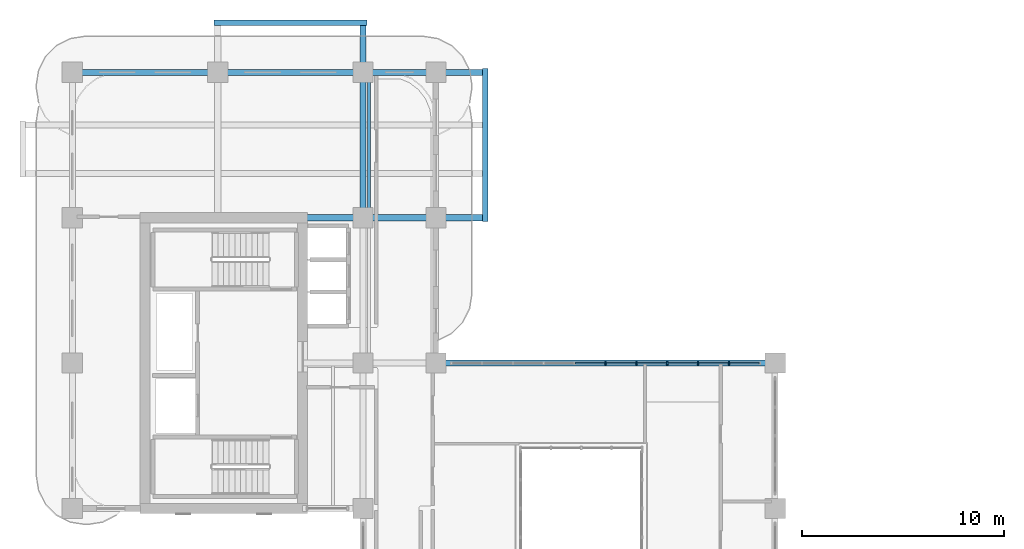
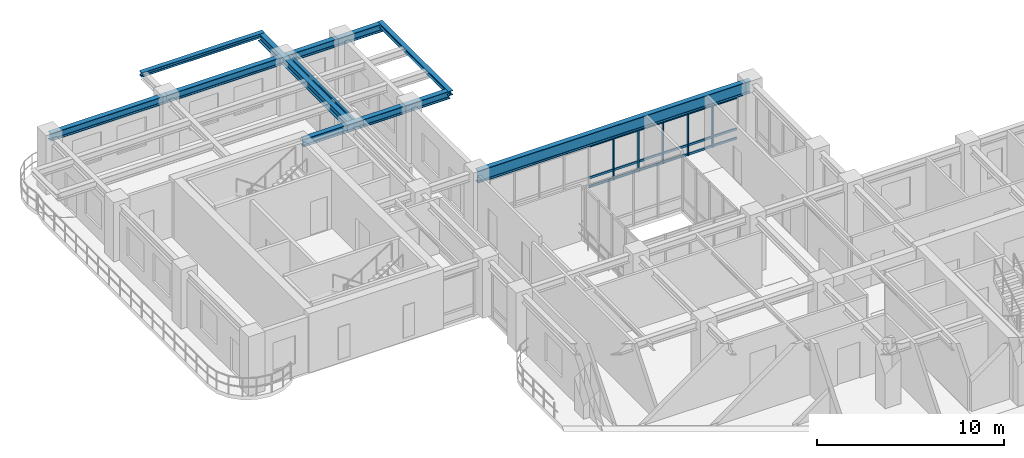
# One storey, part 6 of 19: 23 members, 8 beams, 1 element without a shape of its own.
"""IFC4 building model written with IfcOpenShell, lengths in metres."""

from ifc_helpers import new_model, si_unit, derived_unit, direction, frame, origin, origin_2d, place, context, subcontext, project, spatial, rectangle, i_section, extrude, source, transform, mapped, material, layer, layer_set, material_profile, profile_set, type_object, type_shapes, element, aggregate, save


model = new_model("IFC4")

# Units and contexts
model_context = context("Model", 3, precision=1e-05, world=origin(), true_north=direction((0.0, 1.0)))
body_context = subcontext(model_context, "Body", "Model", "MODEL_VIEW")
ifc_project = project(units=[si_unit("LENGTHUNIT", "METRE"), si_unit("AREAUNIT", "SQUARE_METRE"), si_unit("VOLUMEUNIT", "CUBIC_METRE"), si_unit("PLANEANGLEUNIT", "RADIAN"), si_unit("MASSUNIT", "GRAM", prefix="KILO"), si_unit("THERMODYNAMICTEMPERATUREUNIT", "KELVIN"), si_unit("POWERUNIT", "WATT"), derived_unit("THERMALTRANSMITTANCEUNIT", [(si_unit("POWERUNIT", "WATT"), 1), (si_unit("AREAUNIT", "SQUARE_METRE"), -1), (si_unit("THERMODYNAMICTEMPERATUREUNIT", "KELVIN"), -1)])], contexts=[model_context])

# Site, building, storey
site_placement = place(None, origin())
site = spatial("IfcSite", under=ifc_project, at=site_placement, CompositionType="ELEMENT")
building_placement = place(site_placement, origin())
building = spatial("IfcBuilding", under=site, at=building_placement, Name="Zahravan Archway Hotel and Residences", CompositionType="ELEMENT")
storey_placement = place(building_placement, frame((0.0, 0.0, 150.300048828125)))
storey = spatial("IfcBuildingStorey", under=building, at=storey_placement, Name="L37", CompositionType="ELEMENT", Elevation=150.300048828125)

# Beams
ifc_material_1 = material(Name="Structural Steel S355JR", Category="steel")
ifc_material_profile_1 = material_profile(ifc_material_1, i_section(OverallWidth=0.280029296875, OverallDepth=0.280029296875, WebThickness=0.010498046875, FlangeThickness=0.01806640625, FilletRadius=0.02392578125, at=origin_2d()), Name="HEB 280", Category="steel")
ifc_profile_set_1 = profile_set([ifc_material_profile_1], Name="Structural Steel S355JR")
beam_type_1 = type_object("IfcBeamType", Name="BM-SPN-HEB280", PredefinedType="SPANDREL", material=ifc_profile_set_1)
shared_shape_1 = source(origin(), body_context, "Body", "SweptSolid", [
    extrude(i_section(OverallWidth=0.280029296875, OverallDepth=0.280029296875, WebThickness=0.010498046875, FlangeThickness=0.01806640625, FilletRadius=0.02392578125, at=origin_2d()), origin(), (0.0, 0.0, 1.0), 7.56005859375),
])
type_shapes(beam_type_1, [shared_shape_1])
for number, where, z_axis, x_axis, name in (
    (1, (20.449951171875, 39.419921875, 3.4599609375), (0.0, 1.0, 0.0), (-1.0, 0.0, 0.0), "L38 EB Balcony Edge Spandrel"),
    (2, (7.02001953125, 49.25, 3.4599609375), (1.0, 0.0, 0.0), (0.0, 1.0, 0.0), "L38 NB Balcony Edge Spandrel"),
):
    element("IfcBeam", number, at=place(storey_placement, frame(where, z_axis=z_axis, x_axis=x_axis)), inside=storey, type_object=beam_type_1, Name=name, PredefinedType="SPANDREL", context=body_context, shape_type="MappedRepresentation", body=[
        mapped(shared_shape_1, transform((0.0, 0.0, 0.0), scale=1.0)),
    ])
ifc_material_2 = material(Name="Structural Steel S355J2", Category="steel")
ifc_material_profile_2 = material_profile(ifc_material_2, i_section(OverallWidth=0.300048828125, OverallDepth=0.800048828125, WebThickness=0.017578125, FlangeThickness=0.032958984375, FilletRadius=0.030029296875, at=origin_2d()), Name="HEB 800", Category="steel")
ifc_profile_set_2 = profile_set([ifc_material_profile_2], Name="Structural Steel S355J2")
beam_type_2 = type_object("IfcBeamType", Name="BM-PRI-HEB800", PredefinedType="BEAM", material=ifc_profile_set_2)
shared_shape_2 = source(origin(), body_context, "Body", "SweptSolid", [
    extrude(i_section(OverallWidth=0.300048828125, OverallDepth=0.800048828125, WebThickness=0.017578125, FlangeThickness=0.032958984375, FilletRadius=0.030029296875, at=origin_2d()), origin(), (0.0, 0.0, 1.0), 16.800048828125),
])
type_shapes(beam_type_2, [shared_shape_2])
beam_1_placement = place(storey_placement, frame((18.0, 32.39990234375, 3.199951171875), z_axis=(1.0, 0.0, 0.0), x_axis=(0.0, 1.0, 0.0)))
element("IfcBeam", 3, at=beam_1_placement, inside=storey, type_object=beam_type_2, Name="L37 Primary Girder EW-18", PredefinedType="BEAM", context=body_context, shape_type="MappedRepresentation", body=[
    mapped(shared_shape_2, transform((0.0, 0.0, 0.0), scale=1.0)),
])
ifc_material_profile_3 = material_profile(ifc_material_1, i_section(OverallWidth=0.300048828125, OverallDepth=0.5, WebThickness=0.014404296875, FlangeThickness=0.028076171875, FilletRadius=0.027099609375, at=origin_2d()), Name="HEB 500", Category="steel")
ifc_profile_set_3 = profile_set([ifc_material_profile_3], Name="Structural Steel S355JR")
beam_type_3 = type_object("IfcBeamType", Name="BM-PRI-HEB500", PredefinedType="BEAM", material=ifc_profile_set_3)
shared_shape_3 = source(origin(), body_context, "Body", "SweptSolid", [
    extrude(i_section(OverallWidth=0.300048828125, OverallDepth=0.5, WebThickness=0.014404296875, FlangeThickness=0.028076171875, FilletRadius=0.027099609375, at=origin_2d()), origin(), (0.0, 0.0, 1.0), 7.199951171875),
])
beam_2_placement = place(storey_placement, frame((0.0, 46.800048828125, 3.349853515625), z_axis=(1.0, 0.0, 0.0), x_axis=(0.0, 1.0, 0.0)))
element("IfcBeam", 4, at=beam_2_placement, inside=storey, type_object=beam_type_3, Name="L37 Primary Girder EW-20", PredefinedType="BEAM", context=body_context, shape_type="MappedRepresentation", body=[
    mapped(shared_shape_3, transform((0.0, 0.0, 0.0), scale=1.0)),
])
shared_shape_4 = source(origin(), body_context, "Body", "SweptSolid", [
    extrude(i_section(OverallWidth=0.300048828125, OverallDepth=0.5, WebThickness=0.014404296875, FlangeThickness=0.028076171875, FilletRadius=0.027099609375, at=origin_2d()), origin(), (0.0, 0.0, 1.0), 9.050048828125),
])
beam_3_placement = place(storey_placement, frame((11.39990234375, 39.60009765625, 3.349853515625), z_axis=(1.0, 0.0, 0.0), x_axis=(0.0, 1.0, 0.0)))
element("IfcBeam", 5, at=beam_3_placement, inside=storey, type_object=beam_type_3, Name="L37 Primary Girder EW-19", PredefinedType="BEAM", context=body_context, shape_type="MappedRepresentation", body=[
    mapped(shared_shape_4, transform((0.0, 0.0, 0.0), scale=1.0)),
])
shared_shape_5 = source(origin(), body_context, "Body", "SweptSolid", [
    extrude(i_section(OverallWidth=0.300048828125, OverallDepth=0.5, WebThickness=0.014404296875, FlangeThickness=0.028076171875, FilletRadius=0.027099609375, at=origin_2d()), origin(), (0.0, 0.0, 1.0), 13.25),
])
beam_4_placement = place(storey_placement, frame((7.199951171875, 46.800048828125, 3.349853515625), z_axis=(1.0, 0.0, 0.0), x_axis=(0.0, 1.0, 0.0)))
element("IfcBeam", 6, at=beam_4_placement, inside=storey, type_object=beam_type_3, Name="L37 Primary Girder EW-21", PredefinedType="BEAM", context=body_context, shape_type="MappedRepresentation", body=[
    mapped(shared_shape_5, transform((0.0, 0.0, 0.0), scale=1.0)),
])
shared_shape_6 = source(origin(), body_context, "Body", "SweptSolid", [
    extrude(i_section(OverallWidth=0.300048828125, OverallDepth=0.5, WebThickness=0.014404296875, FlangeThickness=0.028076171875, FilletRadius=0.027099609375, at=origin_2d()), origin(), (0.0, 0.0, 1.0), 9.64990234375),
])
beam_5_placement = place(storey_placement, frame((14.39990234375, 39.60009765625, 3.349853515625), z_axis=(0.0, 1.0, 0.0), x_axis=(-1.0, 0.0, 0.0)))
element("IfcBeam", 7, at=beam_5_placement, inside=storey, type_object=beam_type_3, Name="L37 Primary Girder NS-34", PredefinedType="BEAM", context=body_context, shape_type="MappedRepresentation", body=[
    mapped(shared_shape_6, transform((0.0, 0.0, 0.0), scale=1.0)),
])
ifc_material_profile_4 = material_profile(ifc_material_1, i_section(OverallWidth=0.14990234375, OverallDepth=0.300048828125, WebThickness=0.007080078125, FlangeThickness=0.0107421875, FilletRadius=0.014892578125, at=origin_2d()), Name="IPE 300", Category="steel")
ifc_profile_set_4 = profile_set([ifc_material_profile_4], Name="Structural Steel S355JR")
beam_type_4 = type_object("IfcBeamType", Name="BM-JST-IPE300", PredefinedType="JOIST", material=ifc_profile_set_4)
shared_shape_7 = source(origin(), body_context, "Body", "SweptSolid", [
    extrude(i_section(OverallWidth=0.14990234375, OverallDepth=0.300048828125, WebThickness=0.007080078125, FlangeThickness=0.0107421875, FilletRadius=0.014892578125, at=origin_2d()), origin(), (0.0, 0.0, 1.0), 6.904052734375),
])
type_shapes(beam_type_4, [shared_shape_7])
beam_6_placement = place(storey_placement, frame((14.699951171875, 39.748046875, 3.449951171875), z_axis=(0.0, 1.0, 0.0), x_axis=(-1.0, 0.0, 0.0)))
element("IfcBeam", 8, at=beam_6_placement, inside=storey, type_object=beam_type_4, Name="L37 Composite Floor Joist 12", PredefinedType="JOIST", context=body_context, shape_type="MappedRepresentation", body=[
    mapped(shared_shape_7, transform((0.0, 0.0, 0.0), scale=1.0)),
])

# Curtain wall, members
ifc_material_3 = material(Name="Bronze-Anodized Unitised Aluminium & Low-E Glass", Category="aluminium")
ifc_layer = layer(ifc_material_3, 0.179931640625, Name="Bronze-Anodized Unitised Aluminium & Low-E Glass", Category="aluminium")
ifc_layer_set = layer_set([ifc_layer], Name="Bronze-Anodized Unitised Aluminium & Low-E Glass")
curtain_wall_type = type_object("IfcCurtainWallType", Name="CW-ATR-GLAZ", PredefinedType="NOTDEFINED", material=ifc_layer_set)
curtain_wall_placement = place(storey_placement, origin())
curtain_wall = element("IfcCurtainWall", 9, at=curtain_wall_placement, inside=storey, type_object=curtain_wall_type, Name="L37 Curtain Wall CW-L37-HNG-N-1", PredefinedType="NOTDEFINED")
ifc_material_4 = material(Name="Bronze-Anodized Extruded Aluminium", Category="aluminium")
ifc_material_profile_5 = material_profile(ifc_material_4, rectangle(XDim=0.080078125, YDim=0.139892578125, at=origin_2d()), Name="TRN 80x140", Category="aluminium")
ifc_profile_set_5 = profile_set([ifc_material_profile_5], Name="Bronze-Anodized Extruded Aluminium")
member_type_1 = type_object("IfcMemberType", Name="CWM-TRN-140", PredefinedType="USERDEFINED", material=ifc_profile_set_5)
shared_shape_8 = source(origin(), body_context, "Body", "SweptSolid", [
    extrude(rectangle(XDim=0.080078125, YDim=0.139892578125, at=origin_2d()), origin(), (0.0, 0.0, 1.0), 1.447998046875),
])
member_1_placement = place(storey_placement, frame((24.912109375, 32.39990234375, 0.070068359375), z_axis=(1.0, 0.0, 0.0), x_axis=(0.0, 1.0, 0.0)))
member_1 = element("IfcMember", 10, at=member_1_placement, type_object=member_type_1, Name="CW-L37-HNG-N-1 Transom 4-1", ObjectType="TRANSOM", PredefinedType="USERDEFINED", context=body_context, shape_type="MappedRepresentation", body=[
    mapped(shared_shape_8, transform((0.0, 0.0, 0.0), scale=1.0)),
])
member_2_placement = place(storey_placement, frame((24.912109375, 32.39990234375, 0.66845703125), z_axis=(1.0, 0.0, 0.0), x_axis=(0.0, 1.0, 0.0)))
member_2 = element("IfcMember", 11, at=member_2_placement, type_object=member_type_1, Name="CW-L37-HNG-N-1 Transom 4-2", ObjectType="TRANSOM", PredefinedType="USERDEFINED", context=body_context, shape_type="MappedRepresentation", body=[
    mapped(shared_shape_8, transform((0.0, 0.0, 0.0), scale=1.0)),
])
member_3_placement = place(storey_placement, frame((24.912109375, 32.39990234375, 2.71484375), z_axis=(1.0, 0.0, 0.0), x_axis=(0.0, 1.0, 0.0)))
member_3 = element("IfcMember", 12, at=member_3_placement, type_object=member_type_1, Name="CW-L37-HNG-N-1 Transom 4-3", ObjectType="TRANSOM", PredefinedType="USERDEFINED", context=body_context, shape_type="MappedRepresentation", body=[
    mapped(shared_shape_8, transform((0.0, 0.0, 0.0), scale=1.0)),
])
member_4_placement = place(storey_placement, frame((26.43994140625, 32.39990234375, 0.070068359375), z_axis=(1.0, 0.0, 0.0), x_axis=(0.0, 1.0, 0.0)))
member_4 = element("IfcMember", 13, at=member_4_placement, type_object=member_type_1, Name="CW-L37-HNG-N-1 Transom 5-1", ObjectType="TRANSOM", PredefinedType="USERDEFINED", context=body_context, shape_type="MappedRepresentation", body=[
    mapped(shared_shape_8, transform((0.0, 0.0, 0.0), scale=1.0)),
])
member_5_placement = place(storey_placement, frame((26.43994140625, 32.39990234375, 0.66845703125), z_axis=(1.0, 0.0, 0.0), x_axis=(0.0, 1.0, 0.0)))
member_5 = element("IfcMember", 14, at=member_5_placement, type_object=member_type_1, Name="CW-L37-HNG-N-1 Transom 5-2", ObjectType="TRANSOM", PredefinedType="USERDEFINED", context=body_context, shape_type="MappedRepresentation", body=[
    mapped(shared_shape_8, transform((0.0, 0.0, 0.0), scale=1.0)),
])
member_6_placement = place(storey_placement, frame((26.43994140625, 32.39990234375, 2.71484375), z_axis=(1.0, 0.0, 0.0), x_axis=(0.0, 1.0, 0.0)))
member_6 = element("IfcMember", 15, at=member_6_placement, type_object=member_type_1, Name="CW-L37-HNG-N-1 Transom 5-3", ObjectType="TRANSOM", PredefinedType="USERDEFINED", context=body_context, shape_type="MappedRepresentation", body=[
    mapped(shared_shape_8, transform((0.0, 0.0, 0.0), scale=1.0)),
])
member_7_placement = place(storey_placement, frame((27.968017578125, 32.39990234375, 0.070068359375), z_axis=(1.0, 0.0, 0.0), x_axis=(0.0, 1.0, 0.0)))
member_7 = element("IfcMember", 16, at=member_7_placement, type_object=member_type_1, Name="CW-L37-HNG-N-1 Transom 6-1", ObjectType="TRANSOM", PredefinedType="USERDEFINED", context=body_context, shape_type="MappedRepresentation", body=[
    mapped(shared_shape_8, transform((0.0, 0.0, 0.0), scale=1.0)),
])
member_8_placement = place(storey_placement, frame((27.968017578125, 32.39990234375, 0.66845703125), z_axis=(1.0, 0.0, 0.0), x_axis=(0.0, 1.0, 0.0)))
member_8 = element("IfcMember", 17, at=member_8_placement, type_object=member_type_1, Name="CW-L37-HNG-N-1 Transom 6-2", ObjectType="TRANSOM", PredefinedType="USERDEFINED", context=body_context, shape_type="MappedRepresentation", body=[
    mapped(shared_shape_8, transform((0.0, 0.0, 0.0), scale=1.0)),
])
member_9_placement = place(storey_placement, frame((27.968017578125, 32.39990234375, 2.71484375), z_axis=(1.0, 0.0, 0.0), x_axis=(0.0, 1.0, 0.0)))
member_9 = element("IfcMember", 18, at=member_9_placement, type_object=member_type_1, Name="CW-L37-HNG-N-1 Transom 6-3", ObjectType="TRANSOM", PredefinedType="USERDEFINED", context=body_context, shape_type="MappedRepresentation", body=[
    mapped(shared_shape_8, transform((0.0, 0.0, 0.0), scale=1.0)),
])
member_10_placement = place(storey_placement, frame((29.49609375, 32.39990234375, 0.070068359375), z_axis=(1.0, 0.0, 0.0), x_axis=(0.0, 1.0, 0.0)))
member_10 = element("IfcMember", 19, at=member_10_placement, type_object=member_type_1, Name="CW-L37-HNG-N-1 Transom 7-1", ObjectType="TRANSOM", PredefinedType="USERDEFINED", context=body_context, shape_type="MappedRepresentation", body=[
    mapped(shared_shape_8, transform((0.0, 0.0, 0.0), scale=1.0)),
])
member_11_placement = place(storey_placement, frame((29.49609375, 32.39990234375, 0.66845703125), z_axis=(1.0, 0.0, 0.0), x_axis=(0.0, 1.0, 0.0)))
member_11 = element("IfcMember", 20, at=member_11_placement, type_object=member_type_1, Name="CW-L37-HNG-N-1 Transom 7-2", ObjectType="TRANSOM", PredefinedType="USERDEFINED", context=body_context, shape_type="MappedRepresentation", body=[
    mapped(shared_shape_8, transform((0.0, 0.0, 0.0), scale=1.0)),
])
member_12_placement = place(storey_placement, frame((29.49609375, 32.39990234375, 2.71484375), z_axis=(1.0, 0.0, 0.0), x_axis=(0.0, 1.0, 0.0)))
member_12 = element("IfcMember", 21, at=member_12_placement, type_object=member_type_1, Name="CW-L37-HNG-N-1 Transom 7-3", ObjectType="TRANSOM", PredefinedType="USERDEFINED", context=body_context, shape_type="MappedRepresentation", body=[
    mapped(shared_shape_8, transform((0.0, 0.0, 0.0), scale=1.0)),
])
member_13_placement = place(storey_placement, frame((31.02392578125, 32.39990234375, 0.070068359375), z_axis=(1.0, 0.0, 0.0), x_axis=(0.0, 1.0, 0.0)))
member_13 = element("IfcMember", 22, at=member_13_placement, type_object=member_type_1, Name="CW-L37-HNG-N-1 Transom 8-1", ObjectType="TRANSOM", PredefinedType="USERDEFINED", context=body_context, shape_type="MappedRepresentation", body=[
    mapped(shared_shape_8, transform((0.0, 0.0, 0.0), scale=1.0)),
])
member_14_placement = place(storey_placement, frame((31.02392578125, 32.39990234375, 0.66845703125), z_axis=(1.0, 0.0, 0.0), x_axis=(0.0, 1.0, 0.0)))
member_14 = element("IfcMember", 23, at=member_14_placement, type_object=member_type_1, Name="CW-L37-HNG-N-1 Transom 8-2", ObjectType="TRANSOM", PredefinedType="USERDEFINED", context=body_context, shape_type="MappedRepresentation", body=[
    mapped(shared_shape_8, transform((0.0, 0.0, 0.0), scale=1.0)),
])
member_15_placement = place(storey_placement, frame((31.02392578125, 32.39990234375, 2.71484375), z_axis=(1.0, 0.0, 0.0), x_axis=(0.0, 1.0, 0.0)))
member_15 = element("IfcMember", 24, at=member_15_placement, type_object=member_type_1, Name="CW-L37-HNG-N-1 Transom 8-3", ObjectType="TRANSOM", PredefinedType="USERDEFINED", context=body_context, shape_type="MappedRepresentation", body=[
    mapped(shared_shape_8, transform((0.0, 0.0, 0.0), scale=1.0)),
])
member_16_placement = place(storey_placement, frame((32.552001953125, 32.39990234375, 0.070068359375), z_axis=(1.0, 0.0, 0.0), x_axis=(0.0, 1.0, 0.0)))
member_16 = element("IfcMember", 25, at=member_16_placement, type_object=member_type_1, Name="CW-L37-HNG-N-1 Transom 9-1", ObjectType="TRANSOM", PredefinedType="USERDEFINED", context=body_context, shape_type="MappedRepresentation", body=[
    mapped(shared_shape_8, transform((0.0, 0.0, 0.0), scale=1.0)),
])
member_17_placement = place(storey_placement, frame((32.552001953125, 32.39990234375, 0.66845703125), z_axis=(1.0, 0.0, 0.0), x_axis=(0.0, 1.0, 0.0)))
member_17 = element("IfcMember", 26, at=member_17_placement, type_object=member_type_1, Name="CW-L37-HNG-N-1 Transom 9-2", ObjectType="TRANSOM", PredefinedType="USERDEFINED", context=body_context, shape_type="MappedRepresentation", body=[
    mapped(shared_shape_8, transform((0.0, 0.0, 0.0), scale=1.0)),
])
member_18_placement = place(storey_placement, frame((32.552001953125, 32.39990234375, 2.71484375), z_axis=(1.0, 0.0, 0.0), x_axis=(0.0, 1.0, 0.0)))
member_18 = element("IfcMember", 27, at=member_18_placement, type_object=member_type_1, Name="CW-L37-HNG-N-1 Transom 9-3", ObjectType="TRANSOM", PredefinedType="USERDEFINED", context=body_context, shape_type="MappedRepresentation", body=[
    mapped(shared_shape_8, transform((0.0, 0.0, 0.0), scale=1.0)),
])
ifc_material_profile_6 = material_profile(ifc_material_4, rectangle(XDim=0.080078125, YDim=0.159912109375, at=origin_2d()), Name="MUL 80x160", Category="aluminium")
ifc_profile_set_6 = profile_set([ifc_material_profile_6], Name="Bronze-Anodized Extruded Aluminium")
member_type_2 = type_object("IfcMemberType", Name="CWM-MUL-160", PredefinedType="MULLION", material=ifc_profile_set_6)
shared_shape_9 = source(origin(), body_context, "Body", "SweptSolid", [
    extrude(rectangle(XDim=0.080078125, YDim=0.159912109375, at=origin_2d()), origin(), (0.0, 0.0, 1.0), 2.784912109375),
])
member_19_placement = place(storey_placement, frame((26.39990234375, 32.39990234375, 0.0), z_axis=(0.0, 0.0, 1.0), x_axis=(1.0, 0.0, 0.0)))
member_19 = element("IfcMember", 28, at=member_19_placement, type_object=member_type_2, Name="CW-L37-HNG-N-1 Mullion 5", PredefinedType="MULLION", context=body_context, shape_type="MappedRepresentation", body=[
    mapped(shared_shape_9, transform((0.0, 0.0, 0.0), scale=1.0)),
])
member_20_placement = place(storey_placement, frame((27.927978515625, 32.39990234375, 0.0), z_axis=(0.0, 0.0, 1.0), x_axis=(1.0, 0.0, 0.0)))
member_20 = element("IfcMember", 29, at=member_20_placement, type_object=member_type_2, Name="CW-L37-HNG-N-1 Mullion 6", PredefinedType="MULLION", context=body_context, shape_type="MappedRepresentation", body=[
    mapped(shared_shape_9, transform((0.0, 0.0, 0.0), scale=1.0)),
])
member_21_placement = place(storey_placement, frame((29.4560546875, 32.39990234375, 0.0), z_axis=(0.0, 0.0, 1.0), x_axis=(1.0, 0.0, 0.0)))
member_21 = element("IfcMember", 30, at=member_21_placement, type_object=member_type_2, Name="CW-L37-HNG-N-1 Mullion 7", PredefinedType="MULLION", context=body_context, shape_type="MappedRepresentation", body=[
    mapped(shared_shape_9, transform((0.0, 0.0, 0.0), scale=1.0)),
])
member_22_placement = place(storey_placement, frame((30.98388671875, 32.39990234375, 0.0), z_axis=(0.0, 0.0, 1.0), x_axis=(1.0, 0.0, 0.0)))
member_22 = element("IfcMember", 31, at=member_22_placement, type_object=member_type_2, Name="CW-L37-HNG-N-1 Mullion 8", PredefinedType="MULLION", context=body_context, shape_type="MappedRepresentation", body=[
    mapped(shared_shape_9, transform((0.0, 0.0, 0.0), scale=1.0)),
])
member_23_placement = place(storey_placement, frame((32.511962890625, 32.39990234375, 0.0), z_axis=(0.0, 0.0, 1.0), x_axis=(1.0, 0.0, 0.0)))
member_23 = element("IfcMember", 32, at=member_23_placement, type_object=member_type_2, Name="CW-L37-HNG-N-1 Mullion 9", PredefinedType="MULLION", context=body_context, shape_type="MappedRepresentation", body=[
    mapped(shared_shape_9, transform((0.0, 0.0, 0.0), scale=1.0)),
])
aggregate(curtain_wall, [member_19, member_20, member_21, member_22, member_23, member_1, member_2, member_3, member_4, member_5, member_6, member_7, member_8, member_9, member_10, member_11, member_12, member_13, member_14, member_15, member_16, member_17, member_18])

save(model, "model.ifc")
